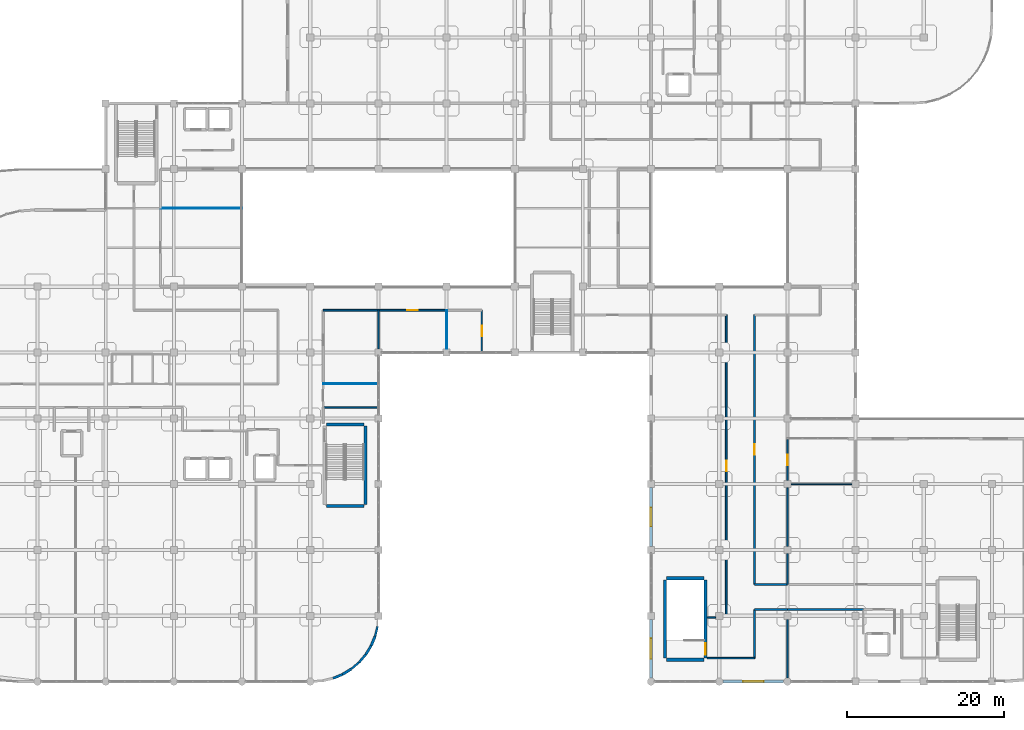
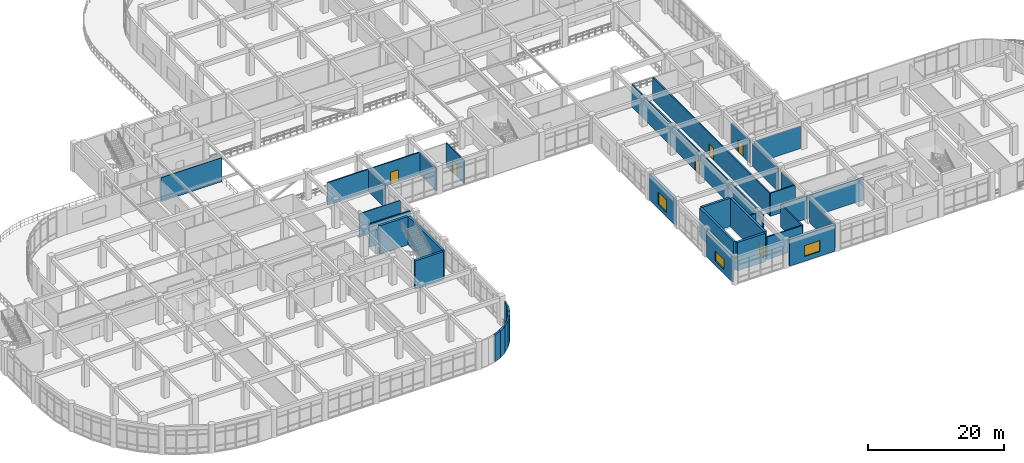
# One storey, part 101 of 120: 38 walls, 6 doors, 3 windows, 9 openings.
"""IFC4 building model written with IfcOpenShell, lengths in metres."""

from ifc_helpers import new_model, si_unit, derived_unit, direction, frame, frame_2d, origin, place, context, subcontext, project, spatial, rectangle, extrude, material, layer, layer_set, type_object, element, fill, save


model = new_model("IFC4")

# Units and contexts
model_context = context("Model", 3, precision=1e-05, world=origin(), true_north=direction((0.0, 1.0)))
body_context = subcontext(model_context, "Body", "Model", "MODEL_VIEW")
ifc_project = project(units=[si_unit("LENGTHUNIT", "METRE"), si_unit("AREAUNIT", "SQUARE_METRE"), si_unit("VOLUMEUNIT", "CUBIC_METRE"), si_unit("PLANEANGLEUNIT", "RADIAN"), si_unit("MASSUNIT", "GRAM", prefix="KILO"), derived_unit("THERMALTRANSMITTANCEUNIT", [(si_unit("MASSUNIT", "GRAM", prefix="KILO"), 1), (si_unit("TIMEUNIT", "SECOND"), -3), (si_unit("THERMODYNAMICTEMPERATUREUNIT", "KELVIN"), -1)])], contexts=[model_context])

# Site, building, storey
site_placement = place(None, origin())
site = spatial("IfcSite", under=ifc_project, at=site_placement, CompositionType="ELEMENT")
building_placement = place(site_placement, origin())
building = spatial("IfcBuilding", under=site, at=building_placement, Name="Qinzheling Arcade Emporium", CompositionType="ELEMENT")
storey_placement = place(building_placement, frame((0.0, 0.0, 11.39990234375)))
storey = spatial("IfcBuildingStorey", under=building, at=storey_placement, Name="L03", CompositionType="ELEMENT", Elevation=11.39990234375)

# Wall
ifc_material_1 = material(Name="Double-stud acoustic gypsum board partition")
ifc_layer_1 = layer(ifc_material_1, 0.215087890625, Name="Double-stud acoustic gypsum board partition")
ifc_layer_set_1 = layer_set([ifc_layer_1], Name="Double-stud acoustic gypsum board partition")
wall_type_1 = type_object("IfcWallType", Name="Acoustic Corridor Partition Wall 215", PredefinedType="PARTITIONING", material=ifc_layer_set_1)
wall_1_placement = place(storey_placement, frame((69.60009765625, 47.39990234375, 0.0), z_axis=(0.0, 0.0, 1.0), x_axis=(-1.0, 0.0, 0.0)))
element("IfcWall", 1, at=wall_1_placement, inside=storey, type_object=wall_type_1, Name="Interior Wall WL-L03-INT-0466", PredefinedType="PARTITIONING", context=body_context, shape_type="SweptSolid", body=[
    extrude(rectangle(XDim=7.050048828125, YDim=0.215087890625, at=frame_2d((3.52490234375, 0.0))), origin(), (0.0, 0.0, 1.0), 4.06005859375),
])

# Wall, opening, door
wall_2_placement = place(storey_placement, frame((78.300048828125, 47.39990234375, 0.0), z_axis=(0.0, 0.0, 1.0), x_axis=(-1.0, 0.0, 0.0)))
wall_2 = element("IfcWall", 2, at=wall_2_placement, inside=storey, type_object=wall_type_1, Name="Interior Wall WL-L03-INT-0488", PredefinedType="PARTITIONING", context=body_context, shape_type="SweptSolid", body=[
    extrude(rectangle(XDim=8.699951171875, YDim=0.215087890625, at=frame_2d((4.35009765625, 0.0))), origin(), (0.0, 0.0, 1.0), 4.06005859375),
])
opening_1_placement = place(wall_2_placement, frame((3.675048828125, 0.0, 0.0)))
opening_1 = element("IfcOpeningElement", 3, at=opening_1_placement, cuts=wall_2, Name="Opening FD05", PredefinedType="OPENING", context=body_context, shape_type="SweptSolid", body=[
    extrude(rectangle(XDim=1.35009765625, YDim=2.199951171875, at=frame_2d((0.675048828125, 1.10009765625))), frame((0.0, 0.11767578125, 0.0), z_axis=(0.0, -1.0, 0.0), x_axis=(1.0, 0.0, 0.0)), (0.0, 0.0, 1.0), 0.235107421875),
])
ifc_material_2 = material(Name="Class B fire-rated stainless-clad door")
door_type_1 = type_object("IfcDoorType", Name="Kitchen Fire-Rated Service Door 1350x2200", OperationType="NOTDEFINED", PredefinedType="DOOR", material=ifc_material_2)
door_1_placement = place(opening_1_placement, origin())
door_1 = element("IfcDoor", 4, at=door_1_placement, inside=storey, type_object=door_type_1, Name="FD05 Interior Door DR-L03-INT-0139", OperationType="SINGLE_SWING_LEFT", OverallHeight=2.199951171875, OverallWidth=1.35009765625, PredefinedType="DOOR", context=body_context, shape_type="SweptSolid", body=[
    extrude(rectangle(XDim=1.35009765625, YDim=2.199951171875, at=frame_2d((0.675048828125, 1.10009765625))), frame((0.0, 0.02490234375, 0.0), z_axis=(0.0, -1.0, 0.0), x_axis=(1.0, 0.0, 0.0)), (0.0, 0.0, 1.0), 0.050048828125),
])
fill(opening_1, door_1)

wall_3_placement = place(storey_placement, frame((82.800048828125, 42.10009765625, 0.0), z_axis=(0.0, 0.0, 1.0), x_axis=(0.0, 1.0, 0.0)))
wall_3 = element("IfcWall", 5, at=wall_3_placement, inside=storey, type_object=wall_type_1, Name="Interior Wall WL-L03-INT-0490", PredefinedType="PARTITIONING", context=body_context, shape_type="SweptSolid", body=[
    extrude(rectangle(XDim=5.2998046875, YDim=0.215087890625, at=frame_2d((2.64990234375, 0.0))), origin(), (0.0, 0.0, 1.0), 4.16015625),
])
opening_2_placement = place(wall_3_placement, frame((1.97509765625, 0.0, 0.0)))
opening_2 = element("IfcOpeningElement", 6, at=opening_2_placement, cuts=wall_3, Name="Opening FD05", PredefinedType="OPENING", context=body_context, shape_type="SweptSolid", body=[
    extrude(rectangle(XDim=1.35009765625, YDim=2.199951171875, at=frame_2d((0.675048828125, 1.10009765625))), frame((0.0, 0.11767578125, 0.0), z_axis=(0.0, -1.0, 0.0), x_axis=(1.0, 0.0, 0.0)), (0.0, 0.0, 1.0), 0.235107421875),
])
door_2_placement = place(opening_2_placement, origin())
door_2 = element("IfcDoor", 7, at=door_2_placement, inside=storey, type_object=door_type_1, Name="FD05 Interior Door DR-L03-INT-0141", OperationType="SINGLE_SWING_LEFT", OverallHeight=2.199951171875, OverallWidth=1.35009765625, PredefinedType="DOOR", context=body_context, shape_type="SweptSolid", body=[
    extrude(rectangle(XDim=1.35009765625, YDim=2.199951171875, at=frame_2d((0.675048828125, 1.10009765625))), frame((0.0, 0.02490234375, 0.0), z_axis=(0.0, -1.0, 0.0), x_axis=(1.0, 0.0, 0.0)), (0.0, 0.0, 1.0), 0.050048828125),
])
fill(opening_2, door_2)

# Wall
wall_4_placement = place(storey_placement, frame((111.550048828125, 8.199951171875, 0.0), z_axis=(0.0, 0.0, 1.0), x_axis=(1.0, 0.0, 0.0)))
element("IfcWall", 8, at=wall_4_placement, inside=storey, type_object=wall_type_1, Name="Interior Wall WL-L03-INT-0502", PredefinedType="PARTITIONING", context=body_context, shape_type="SweptSolid", body=[
    extrude(rectangle(XDim=1.08984375, YDim=0.215087890625, at=frame_2d((0.544921875, 0.0))), origin(), (0.0, 0.0, 1.0), 4.760009765625),
])

# Wall, opening, door
wall_5_placement = place(storey_placement, frame((114.0, 8.199951171875, 0.0), z_axis=(0.0, 0.0, 1.0), x_axis=(0.0, 1.0, 0.0)))
wall_5 = element("IfcWall", 9, at=wall_5_placement, inside=storey, type_object=wall_type_1, Name="Interior Wall WL-L03-INT-0503", PredefinedType="PARTITIONING", context=body_context, shape_type="SweptSolid", body=[
    extrude(rectangle(XDim=38.60009765625, YDim=0.215087890625, at=frame_2d((19.300048828125, 0.0))), origin(), (0.0, 0.0, 1.0), 4.06005859375),
])
opening_3_placement = place(wall_5_placement, frame((18.625, 0.0, 0.0)))
opening_3 = element("IfcOpeningElement", 10, at=opening_3_placement, cuts=wall_5, Name="Opening FD05", PredefinedType="OPENING", context=body_context, shape_type="SweptSolid", body=[
    extrude(rectangle(XDim=1.35009765625, YDim=2.199951171875, at=frame_2d((0.675048828125, 1.10009765625))), frame((0.0, 0.11767578125, 0.0), z_axis=(0.0, -1.0, 0.0), x_axis=(1.0, 0.0, 0.0)), (0.0, 0.0, 1.0), 0.235107421875),
])
door_3_placement = place(opening_3_placement, origin())
door_3 = element("IfcDoor", 11, at=door_3_placement, inside=storey, type_object=door_type_1, Name="FD05 Interior Door DR-L03-INT-0146", OperationType="SINGLE_SWING_RIGHT", OverallHeight=2.199951171875, OverallWidth=1.35009765625, PredefinedType="DOOR", context=body_context, shape_type="SweptSolid", body=[
    extrude(rectangle(XDim=1.35009765625, YDim=2.199951171875, at=frame_2d((0.675048828125, 1.10009765625))), frame((0.0, 0.02490234375, 0.0), z_axis=(0.0, -1.0, 0.0), x_axis=(1.0, 0.0, 0.0)), (0.0, 0.0, 1.0), 0.050048828125),
])
fill(opening_3, door_3)

# Walls
wall_6_placement = place(storey_placement, frame((121.800048828125, 9.199951171875, 0.0), z_axis=(0.0, 0.0, 1.0), x_axis=(-1.0, 0.0, 0.0)))
element("IfcWall", 12, at=wall_6_placement, inside=storey, type_object=wall_type_1, Name="Interior Wall WL-L03-INT-0505", PredefinedType="PARTITIONING", context=body_context, shape_type="SweptSolid", body=[
    extrude(rectangle(XDim=4.199951171875, YDim=0.215087890625, at=frame_2d((2.10009765625, 0.0))), origin(), (0.0, 0.0, 1.0), 4.14501953125),
])
wall_7_placement = place(storey_placement, frame((117.60009765625, 9.199951171875, 0.0), z_axis=(0.0, 0.0, 1.0), x_axis=(0.0, -1.0, 0.0)))
element("IfcWall", 13, at=wall_7_placement, inside=storey, type_object=wall_type_1, Name="Interior Wall WL-L03-INT-0506", PredefinedType="PARTITIONING", context=body_context, shape_type="SweptSolid", body=[
    extrude(rectangle(XDim=6.199951171875, YDim=0.215087890625, at=frame_2d((3.10009765625, 0.0))), origin(), (0.0, 0.0, 1.0), 4.06005859375),
])
wall_8_placement = place(storey_placement, frame((117.60009765625, 3.0, 0.0), z_axis=(0.0, 0.0, 1.0), x_axis=(-1.0, 0.0, 0.0)))
element("IfcWall", 14, at=wall_8_placement, inside=storey, type_object=wall_type_1, Name="Interior Wall WL-L03-INT-0507", PredefinedType="PARTITIONING", context=body_context, shape_type="SweptSolid", body=[
    extrude(rectangle(XDim=6.050048828125, YDim=0.215087890625, at=frame_2d((3.02490234375, 0.0))), origin(), (0.0, 0.0, 1.0), 4.06005859375),
])

# Wall, opening, door
wall_9_placement = place(storey_placement, frame((117.60009765625, 46.800048828125, 0.0), z_axis=(0.0, 0.0, 1.0), x_axis=(0.0, -1.0, 0.0)))
wall_9 = element("IfcWall", 15, at=wall_9_placement, inside=storey, type_object=wall_type_1, Name="Interior Wall WL-L03-INT-0509", PredefinedType="PARTITIONING", context=body_context, shape_type="SweptSolid", body=[
    extrude(rectangle(XDim=34.400146484375, YDim=0.215087890625, at=frame_2d((17.2001953125, 0.0))), origin(), (0.0, 0.0, 1.0), 4.06005859375),
])
opening_4_placement = place(wall_9_placement, frame((16.52490234375, 0.0, 0.0)))
opening_4 = element("IfcOpeningElement", 16, at=opening_4_placement, cuts=wall_9, Name="Opening FD05", PredefinedType="OPENING", context=body_context, shape_type="SweptSolid", body=[
    extrude(rectangle(XDim=1.35009765625, YDim=2.199951171875, at=frame_2d((0.675048828125, 1.10009765625))), frame((0.0, 0.11767578125, 0.0), z_axis=(0.0, -1.0, 0.0), x_axis=(1.0, 0.0, 0.0)), (0.0, 0.0, 1.0), 0.235107421875),
])
door_4_placement = place(opening_4_placement, origin())
door_4 = element("IfcDoor", 17, at=door_4_placement, inside=storey, type_object=door_type_1, Name="FD05 Interior Door DR-L03-INT-0147", OperationType="SINGLE_SWING_LEFT", OverallHeight=2.199951171875, OverallWidth=1.35009765625, PredefinedType="DOOR", context=body_context, shape_type="SweptSolid", body=[
    extrude(rectangle(XDim=1.35009765625, YDim=2.199951171875, at=frame_2d((0.675048828125, 1.10009765625))), frame((0.0, 0.02490234375, 0.0), z_axis=(0.0, -1.0, 0.0), x_axis=(1.0, 0.0, 0.0)), (0.0, 0.0, 1.0), 0.050048828125),
])
fill(opening_4, door_4)

# Walls
wall_10_placement = place(storey_placement, frame((117.60009765625, 12.39990234375, 0.0), z_axis=(0.0, 0.0, 1.0), x_axis=(1.0, 0.0, 0.0)))
element("IfcWall", 18, at=wall_10_placement, inside=storey, type_object=wall_type_1, Name="Interior Wall WL-L03-INT-0510", PredefinedType="PARTITIONING", context=body_context, shape_type="SweptSolid", body=[
    extrude(rectangle(XDim=4.199951171875, YDim=0.215087890625, at=frame_2d((2.10009765625, 0.0))), origin(), (0.0, 0.0, 1.0), 4.14501953125),
])
wall_11_placement = place(storey_placement, frame((131.5, 9.199951171875, 0.0), z_axis=(0.0, 0.0, 1.0), x_axis=(-1.0, 0.0, 0.0)))
element("IfcWall", 19, at=wall_11_placement, inside=storey, type_object=wall_type_1, Name="Interior Wall WL-L03-INT-0517", PredefinedType="PARTITIONING", context=body_context, shape_type="SweptSolid", body=[
    extrude(rectangle(XDim=9.699951171875, YDim=0.215087890625, at=frame_2d((4.85009765625, 0.0))), origin(), (0.0, 0.0, 1.0), 4.045166015625),
])
ifc_material_3 = material(Name="Insulated aluminium-clad spandrel wall", Category="aluminium")
ifc_layer_2 = layer(ifc_material_3, 0.260009765625, Name="Insulated aluminium-clad spandrel wall", Category="aluminium")
ifc_layer_set_2 = layer_set([ifc_layer_2], Name="Insulated aluminium-clad spandrel wall")
wall_type_2 = type_object("IfcWallType", Name="Arcade Clerestory Spandrel Wall 260", PredefinedType="STANDARD", material=ifc_layer_set_2)
for number, where, z_axis, x_axis, name in (
    (20, (69.4970703125, 7.0859375, 0.0), (0.0, 0.0, 1.0), (-0.233681085976, -0.972313298303, 0.0), "Exterior Wall WL-L03-EW-0157"),
    (21, (67.139892578125, 2.4599609375, 0.0), (0.0, 0.0, 1.0), (-0.760640319893, -0.649173554417, 0.0), "Exterior Wall WL-L03-EW-0161"),
):
    element("IfcWall", number, at=place(storey_placement, frame(where, z_axis=z_axis, x_axis=x_axis)), inside=storey, type_object=wall_type_2, Name=name, PredefinedType="STANDARD", context=body_context, shape_type="SweptSolid", body=[
        extrude(rectangle(XDim=1.318603515625, YDim=0.260009765625, at=frame_2d((0.6591796875, 0.0))), origin(), (0.0, 0.0, 1.0), 4.7900390625),
    ])
ifc_material_4 = material(Name="Galvanised stud back-of-house partition")
ifc_layer_3 = layer(ifc_material_4, 0.1201171875, Name="Galvanised stud back-of-house partition")
ifc_layer_set_3 = layer_set([ifc_layer_3], Name="Galvanised stud back-of-house partition")
wall_type_3 = type_object("IfcWallType", Name="Back-of-House Partition Wall 120", PredefinedType="PARTITIONING", material=ifc_layer_set_3)
wall_12_placement = place(storey_placement, frame((69.5, 38.0, 0.0), z_axis=(0.0, 0.0, 1.0), x_axis=(-1.0, 0.0, 0.0)))
element("IfcWall", 22, at=wall_12_placement, inside=storey, type_object=wall_type_3, Name="Interior Wall WL-L03-INT-0547", PredefinedType="PARTITIONING", context=body_context, shape_type="SweptSolid", body=[
    extrude(rectangle(XDim=6.949951171875, YDim=0.1201171875, at=frame_2d((3.47509765625, 0.0))), origin(), (0.0, 0.0, 1.0), 4.16015625),
])
ifc_material_5 = material(Name="Celadon glazed terracotta insulated spandrel", Category="masonry")
ifc_layer_4 = layer(ifc_material_5, 0.340087890625, Name="Celadon glazed terracotta insulated spandrel", Category="masonry")
ifc_layer_set_4 = layer_set([ifc_layer_4], Name="Celadon glazed terracotta insulated spandrel")
wall_type_4 = type_object("IfcWallType", Name="Celadon Spandrel Infill Wall 340", PredefinedType="STANDARD", material=ifc_layer_set_4)
wall_13_placement = place(storey_placement, frame((69.18896484375, 5.803955078125, 0.0), z_axis=(0.0, 0.0, 1.0), x_axis=(-0.382918679061, -0.923782055047, 0.0)))
element("IfcWall", 23, at=wall_13_placement, inside=storey, type_object=wall_type_4, Name="Exterior Wall WL-L03-EW-0158", PredefinedType="STANDARD", context=body_context, shape_type="SweptSolid", body=[
    extrude(rectangle(XDim=1.318603515625, YDim=0.340087890625, at=frame_2d((0.6591796875, 0.0))), origin(), (0.0, 0.0, 1.0), 4.7900390625),
])
wall_14_placement = place(storey_placement, frame((66.136962890625, 1.60400390625, 0.0), z_axis=(0.0, 0.0, 1.0), x_axis=(-0.852713129378, -0.522379477954, 0.0)))
element("IfcWall", 24, at=wall_14_placement, inside=storey, type_object=wall_type_4, Name="Exterior Wall WL-L03-EW-0162", PredefinedType="STANDARD", context=body_context, shape_type="SweptSolid", body=[
    extrude(rectangle(XDim=1.317138671875, YDim=0.340087890625, at=frame_2d((0.65869140625, 0.0))), origin(), (0.0, 0.0, 1.0), 4.7900390625),
])
ifc_material_6 = material(Name="Glazed cream terracotta insulated wall", Category="masonry")
ifc_layer_5 = layer(ifc_material_6, 0.320068359375, Name="Glazed cream terracotta insulated wall", Category="masonry")
ifc_layer_set_5 = layer_set([ifc_layer_5], Name="Glazed cream terracotta insulated wall")
wall_type_5 = type_object("IfcWallType", Name="Chicago Frame Infill Wall 320", PredefinedType="STANDARD", material=ifc_layer_set_5)
wall_15_placement = place(storey_placement, frame((68.68408203125, 4.5859375, 0.0), z_axis=(0.0, 0.0, 1.0), x_axis=(-0.522379477954, -0.852713129378, 0.0)))
element("IfcWall", 25, at=wall_15_placement, inside=storey, type_object=wall_type_5, Name="Exterior Wall WL-L03-EW-0159", PredefinedType="STANDARD", context=body_context, shape_type="SweptSolid", body=[
    extrude(rectangle(XDim=1.317138671875, YDim=0.320068359375, at=frame_2d((0.65869140625, 0.0))), origin(), (0.0, 0.0, 1.0), 4.7900390625),
])
wall_16_placement = place(storey_placement, frame((65.013916015625, 0.916015625, 0.0), z_axis=(0.0, 0.0, 1.0), x_axis=(-0.923716547568, -0.383076676071, 0.0)))
element("IfcWall", 26, at=wall_16_placement, inside=storey, type_object=wall_type_5, Name="Exterior Wall WL-L03-EW-0163", PredefinedType="STANDARD", context=body_context, shape_type="SweptSolid", body=[
    extrude(rectangle(XDim=1.318603515625, YDim=0.320068359375, at=frame_2d((0.6591796875, 0.0))), origin(), (0.0, 0.0, 1.0), 4.7900390625),
])
ifc_material_7 = material(Name="Ceramic-tiled cement-board partition")
ifc_layer_6 = layer(ifc_material_7, 0.18505859375, Name="Ceramic-tiled cement-board partition")
ifc_layer_set_6 = layer_set([ifc_layer_6], Name="Ceramic-tiled cement-board partition")
wall_type_6 = type_object("IfcWallType", Name="Food Hall Kitchen Partition Wall 185", PredefinedType="PARTITIONING", material=ifc_layer_set_6)
wall_17_placement = place(storey_placement, frame((69.60009765625, 47.39990234375, 0.0), z_axis=(0.0, 0.0, 1.0), x_axis=(0.0, -1.0, 0.0)))
element("IfcWall", 27, at=wall_17_placement, inside=storey, type_object=wall_type_6, Name="Interior Wall WL-L03-INT-0546", PredefinedType="PARTITIONING", context=body_context, shape_type="SweptSolid", body=[
    extrude(rectangle(XDim=4.93994140625, YDim=0.18505859375, at=frame_2d((2.469970703125, 0.0))), origin(), (0.0, 0.0, 1.0), 4.06005859375),
])
wall_18_placement = place(storey_placement, frame((121.800048828125, 7.93994140625, 0.0), z_axis=(0.0, 0.0, 1.0), x_axis=(0.0, -1.0, 0.0)))
element("IfcWall", 28, at=wall_18_placement, inside=storey, type_object=wall_type_6, Name="Interior Wall WL-L03-INT-0562", PredefinedType="PARTITIONING", context=body_context, shape_type="SweptSolid", body=[
    extrude(rectangle(XDim=7.454833984375, YDim=0.18505859375, at=frame_2d((3.7275390625, 0.0))), origin(), (0.0, 0.0, 1.0), 4.14501953125),
])

# Wall, opening, door
wall_19_placement = place(storey_placement, frame((121.800048828125, 30.89990234375, 0.0), z_axis=(0.0, 0.0, 1.0), x_axis=(0.0, -1.0, 0.0)))
wall_19 = element("IfcWall", 29, at=wall_19_placement, inside=storey, type_object=wall_type_6, Name="Interior Wall WL-L03-INT-0563", PredefinedType="PARTITIONING", context=body_context, shape_type="SweptSolid", body=[
    extrude(rectangle(XDim=5.239990234375, YDim=0.18505859375, at=frame_2d((2.6201171875, 0.0))), origin(), (0.0, 0.0, 1.0), 4.06005859375),
])
opening_5_placement = place(wall_19_placement, frame((1.945068359375, 0.0, 0.0)))
opening_5 = element("IfcOpeningElement", 30, at=opening_5_placement, cuts=wall_19, Name="Opening FD05", PredefinedType="OPENING", context=body_context, shape_type="SweptSolid", body=[
    extrude(rectangle(XDim=1.35009765625, YDim=2.199951171875, at=frame_2d((0.675048828125, 1.10009765625))), frame((0.0, 0.1025390625, 0.0), z_axis=(0.0, -1.0, 0.0), x_axis=(1.0, 0.0, 0.0)), (0.0, 0.0, 1.0), 0.205078125),
])
door_5_placement = place(opening_5_placement, origin())
door_5 = element("IfcDoor", 31, at=door_5_placement, inside=storey, type_object=door_type_1, Name="FD05 Interior Door DR-L03-INT-0148", OperationType="SINGLE_SWING_RIGHT", OverallHeight=2.199951171875, OverallWidth=1.35009765625, PredefinedType="DOOR", context=body_context, shape_type="SweptSolid", body=[
    extrude(rectangle(XDim=1.35009765625, YDim=2.199951171875, at=frame_2d((0.675048828125, 1.10009765625))), frame((0.0, 0.02490234375, 0.0), z_axis=(0.0, -1.0, 0.0), x_axis=(1.0, 0.0, 0.0)), (0.0, 0.0, 1.0), 0.050048828125),
])
fill(opening_5, door_5)

# Walls
ifc_material_8 = material(Name="Acoustic gypsum gallery partition")
ifc_layer_7 = layer(ifc_material_8, 0.205078125, Name="Acoustic gypsum gallery partition")
ifc_layer_set_7 = layer_set([ifc_layer_7], Name="Acoustic gypsum gallery partition")
wall_type_7 = type_object("IfcWallType", Name="Gallery Display Partition Wall 205", PredefinedType="PARTITIONING", material=ifc_layer_set_7)
wall_20_placement = place(storey_placement, frame((121.800048828125, 24.739990234375, 0.0), z_axis=(0.0, 0.0, 1.0), x_axis=(0.0, -1.0, 0.0)))
element("IfcWall", 32, at=wall_20_placement, inside=storey, type_object=wall_type_7, Name="Interior Wall WL-L03-INT-0566", PredefinedType="PARTITIONING", context=body_context, shape_type="SweptSolid", body=[
    extrude(rectangle(XDim=7.47998046875, YDim=0.205078125, at=frame_2d((3.739990234375, 0.0))), origin(), (0.0, 0.0, 1.0), 4.14501953125),
])
wall_21_placement = place(storey_placement, frame((121.800048828125, 16.340087890625, 0.0), z_axis=(0.0, 0.0, 1.0), x_axis=(0.0, -1.0, 0.0)))
element("IfcWall", 33, at=wall_21_placement, inside=storey, type_object=wall_type_7, Name="Interior Wall WL-L03-INT-0567", PredefinedType="PARTITIONING", context=body_context, shape_type="SweptSolid", body=[
    extrude(rectangle(XDim=3.940185546875, YDim=0.205078125, at=frame_2d((1.97021484375, 0.0))), origin(), (0.0, 0.0, 1.0), 4.14501953125),
])

# Wall, opening, window
ifc_material_9 = material(Name="Glazed cream terracotta on Concrete C40", Category="masonry")
ifc_layer_8 = layer(ifc_material_9, 0.3798828125, Name="Glazed cream terracotta on Concrete C40", Category="masonry")
ifc_layer_set_8 = layer_set([ifc_layer_8], Name="Glazed cream terracotta on Concrete C40")
wall_type_8 = type_object("IfcWallType", Name="Glazed Cream Terracotta Structural Wall 380", PredefinedType="STANDARD", material=ifc_layer_set_8)
wall_22_placement = place(storey_placement, frame((121.322998046875, 0.0, 0.0), z_axis=(0.0, 0.0, 1.0), x_axis=(-1.0, 0.0, 0.0)))
wall_22 = element("IfcWall", 34, at=wall_22_placement, inside=storey, type_object=wall_type_8, Name="Exterior Wall WL-L03-EW-0152", PredefinedType="STANDARD", context=body_context, shape_type="SweptSolid", body=[
    extrude(rectangle(XDim=7.74609375, YDim=0.3798828125, at=frame_2d((3.873046875, 0.0))), origin(), (0.0, 0.0, 1.0), 4.7900390625),
])
opening_6_placement = place(wall_22_placement, frame((2.572998046875, 0.0, 0.85009765625)))
opening_6 = element("IfcOpeningElement", 35, at=opening_6_placement, cuts=wall_22, Name="Opening WN51", PredefinedType="OPENING", context=body_context, shape_type="SweptSolid", body=[
    extrude(rectangle(XDim=2.60009765625, YDim=1.949951171875, at=frame_2d((1.300048828125, 0.97509765625))), frame((0.0, 0.199951171875, 0.0), z_axis=(0.0, -1.0, 0.0), x_axis=(1.0, 0.0, 0.0)), (0.0, 0.0, 1.0), 0.39990234375),
])
ifc_material_10 = material(Name="Thermally broken aluminium frame with solar-control double glazing", Category="aluminium")
window_type_1 = type_object("IfcWindowType", Name="Chicago Tripartite Window 2600x1950", PartitioningType="TRIPLE_PANEL_VERTICAL", PredefinedType="WINDOW", material=ifc_material_10)
window_1_placement = place(opening_6_placement, origin())
window_1 = element("IfcWindow", 36, at=window_1_placement, inside=storey, type_object=window_type_1, Name="WN51 Window WN-L03-0038", OverallHeight=1.949951171875, OverallWidth=2.60009765625, PartitioningType="TRIPLE_PANEL_VERTICAL", PredefinedType="WINDOW", context=body_context, shape_type="SweptSolid", body=[
    extrude(rectangle(XDim=2.60009765625, YDim=1.949951171875, at=frame_2d((1.300048828125, 0.97509765625))), frame((0.0, 0.030029296875, 0.0), z_axis=(0.0, -1.0, 0.0), x_axis=(1.0, 0.0, 0.0)), (0.0, 0.0, 1.0), 0.06005859375),
])
fill(opening_6, window_1)

wall_23_placement = place(storey_placement, frame((104.39990234375, 17.251953125, 0.0), z_axis=(0.0, 0.0, 1.0), x_axis=(0.0, 1.0, 0.0)))
wall_23 = element("IfcWall", 37, at=wall_23_placement, inside=storey, type_object=wall_type_8, Name="Exterior Wall WL-L03-EW-0154", PredefinedType="STANDARD", context=body_context, shape_type="SweptSolid", body=[
    extrude(rectangle(XDim=7.49609375, YDim=0.3798828125, at=frame_2d((3.748046875, 0.0))), origin(), (0.0, 0.0, 1.0), 4.7900390625),
])
opening_7_placement = place(wall_23_placement, frame((2.548095703125, 0.0, 0.85009765625)))
opening_7 = element("IfcOpeningElement", 38, at=opening_7_placement, cuts=wall_23, Name="Opening WN53", PredefinedType="OPENING", context=body_context, shape_type="SweptSolid", body=[
    extrude(rectangle(XDim=2.39990234375, YDim=2.25, at=frame_2d((1.199951171875, 1.125))), frame((0.0, 0.199951171875, 0.0), z_axis=(0.0, -1.0, 0.0), x_axis=(1.0, 0.0, 0.0)), (0.0, 0.0, 1.0), 0.39990234375),
])
window_type_2 = type_object("IfcWindowType", Name="Chicago Tripartite Window 2400x2250", PartitioningType="TRIPLE_PANEL_VERTICAL", PredefinedType="WINDOW", material=ifc_material_10)
window_2_placement = place(opening_7_placement, origin())
window_2 = element("IfcWindow", 39, at=window_2_placement, inside=storey, type_object=window_type_2, Name="WN53 Window WN-L03-0040", OverallHeight=2.25, OverallWidth=2.39990234375, PartitioningType="TRIPLE_PANEL_VERTICAL", PredefinedType="WINDOW", context=body_context, shape_type="SweptSolid", body=[
    extrude(rectangle(XDim=2.39990234375, YDim=2.25, at=frame_2d((1.199951171875, 1.125))), frame((0.0, 0.030029296875, 0.0), z_axis=(0.0, -1.0, 0.0), x_axis=(1.0, 0.0, 0.0)), (0.0, 0.0, 1.0), 0.06005859375),
])
fill(opening_7, window_2)

ifc_layer_9 = layer(ifc_material_9, 0.360107421875, Name="Glazed cream terracotta on Concrete C40", Category="masonry")
ifc_layer_set_9 = layer_set([ifc_layer_9], Name="Glazed cream terracotta on Concrete C40")
wall_type_9 = type_object("IfcWallType", Name="Glazed Terracotta Pier Wall 360", PredefinedType="STANDARD", material=ifc_layer_set_9)
wall_24_placement = place(storey_placement, frame((104.39990234375, 0.47705078125, 0.0), z_axis=(0.0, 0.0, 1.0), x_axis=(0.0, 1.0, 0.0)))
wall_24 = element("IfcWall", 40, at=wall_24_placement, inside=storey, type_object=wall_type_9, Name="Exterior Wall WL-L03-EW-0153", PredefinedType="STANDARD", context=body_context, shape_type="SweptSolid", body=[
    extrude(rectangle(XDim=7.470947265625, YDim=0.360107421875, at=frame_2d((3.7353515625, 0.0))), origin(), (0.0, 0.0, 1.0), 4.7900390625),
])
opening_8_placement = place(wall_24_placement, frame((2.43603515625, 0.0, 0.85009765625)))
opening_8 = element("IfcOpeningElement", 41, at=opening_8_placement, cuts=wall_24, Name="Opening WN52", PredefinedType="OPENING", context=body_context, shape_type="SweptSolid", body=[
    extrude(rectangle(XDim=2.60009765625, YDim=1.75, at=frame_2d((1.300048828125, 0.875))), frame((0.0, 0.18994140625, 0.0), z_axis=(0.0, -1.0, 0.0), x_axis=(1.0, 0.0, 0.0)), (0.0, 0.0, 1.0), 0.380126953125),
])
window_type_3 = type_object("IfcWindowType", Name="Chicago Tripartite Window 2600x1750", PartitioningType="TRIPLE_PANEL_VERTICAL", PredefinedType="WINDOW", material=ifc_material_10)
window_3_placement = place(opening_8_placement, origin())
window_3 = element("IfcWindow", 42, at=window_3_placement, inside=storey, type_object=window_type_3, Name="WN52 Window WN-L03-0039", OverallHeight=1.75, OverallWidth=2.60009765625, PartitioningType="TRIPLE_PANEL_VERTICAL", PredefinedType="WINDOW", context=body_context, shape_type="SweptSolid", body=[
    extrude(rectangle(XDim=2.60009765625, YDim=1.75, at=frame_2d((1.300048828125, 0.875))), frame((0.0, 0.030029296875, 0.0), z_axis=(0.0, -1.0, 0.0), x_axis=(1.0, 0.0, 0.0)), (0.0, 0.0, 1.0), 0.06005859375),
])
fill(opening_8, window_3)

# Walls
ifc_material_11 = material(Name="Lightweight gypsum studio partition")
ifc_layer_10 = layer(ifc_material_11, 0.125, Name="Lightweight gypsum studio partition")
ifc_layer_set_10 = layer_set([ifc_layer_10], Name="Lightweight gypsum studio partition")
wall_type_10 = type_object("IfcWallType", Name="Merchandising Studio Partition Wall 125", PredefinedType="PARTITIONING", material=ifc_layer_set_10)
wall_25_placement = place(storey_placement, frame((41.800048828125, 60.39990234375, 0.0), z_axis=(0.0, 0.0, 1.0), x_axis=(1.0, 0.0, 0.0)))
element("IfcWall", 43, at=wall_25_placement, inside=storey, type_object=wall_type_10, Name="Interior Wall WL-L03-INT-0549", PredefinedType="PARTITIONING", context=body_context, shape_type="SweptSolid", body=[
    extrude(rectangle(XDim=10.39990234375, YDim=0.125, at=frame_2d((5.199951171875, 0.0))), origin(), (0.0, 0.0, 1.0), 4.322021484375),
])
wall_26_placement = place(storey_placement, frame((78.300048828125, 47.39990234375, 0.0), z_axis=(0.0, 0.0, 1.0), x_axis=(0.0, -1.0, 0.0)))
element("IfcWall", 44, at=wall_26_placement, inside=storey, type_object=wall_type_10, Name="Interior Wall WL-L03-INT-0553", PredefinedType="PARTITIONING", context=body_context, shape_type="SweptSolid", body=[
    extrude(rectangle(XDim=4.93994140625, YDim=0.125, at=frame_2d((2.469970703125, 0.0))), origin(), (0.0, 0.0, 1.0), 4.06005859375),
])
ifc_material_12 = material(Name="Concrete C50", Category="concrete")
ifc_layer_11 = layer(ifc_material_12, 0.39990234375, Name="Concrete C50", Category="concrete")
ifc_layer_set_11 = layer_set([ifc_layer_11], Name="Concrete C50")
wall_type_11 = type_object("IfcWallType", Name="RC Stair Core Shear Wall 400 C50", PredefinedType="SHEAR", material=ifc_layer_set_11)
wall_27_placement = place(storey_placement, frame((67.93994140625, 32.60009765625, 0.0), z_axis=(0.0, 0.0, 1.0), x_axis=(0.0, -1.0, 0.0)))
element("IfcWall", 45, at=wall_27_placement, inside=storey, type_object=wall_type_11, Name="Stair Core Wall WL-L03-ST01-EAST", PredefinedType="SHEAR", context=body_context, shape_type="SweptSolid", body=[
    extrude(rectangle(XDim=10.0, YDim=0.39990234375, at=frame_2d((5.0, 0.0))), origin(), (0.0, 0.0, 1.0), 5.10009765625),
])
for number, where, z_axis, x_axis, name in (
    (46, (67.739990234375, 22.39990234375, 0.0), (0.0, 0.0, 1.0), (-1.0, 0.0, 0.0), "Stair Core Wall WL-L03-ST01-SOUTH"),
    (47, (62.949951171875, 32.800048828125, 0.0), (0.0, 0.0, 1.0), (1.0, 0.0, 0.0), "Stair Core Wall WL-L03-ST01-NORTH"),
):
    element("IfcWall", number, at=place(storey_placement, frame(where, z_axis=z_axis, x_axis=x_axis)), inside=storey, type_object=wall_type_11, Name=name, PredefinedType="SHEAR", context=body_context, shape_type="SweptSolid", body=[
        extrude(rectangle(XDim=4.7900390625, YDim=0.39990234375, at=frame_2d((2.39501953125, 0.0))), origin(), (0.0, 0.0, 1.0), 5.10009765625),
    ])
wall_28_placement = place(storey_placement, frame((106.155029296875, 3.0, 0.0), z_axis=(0.0, 0.0, 1.0), x_axis=(0.0, 1.0, 0.0)))
element("IfcWall", 48, at=wall_28_placement, inside=storey, type_object=wall_type_11, Name="Stair Core Wall WL-L03-ST05-WEST", PredefinedType="SHEAR", context=body_context, shape_type="SweptSolid", body=[
    extrude(rectangle(XDim=10.0, YDim=0.39990234375, at=frame_2d((5.0, 0.0))), origin(), (0.0, 0.0, 1.0), 5.10009765625),
])

# Wall, opening, door
wall_29_placement = place(storey_placement, frame((111.344970703125, 13.0, 0.0), z_axis=(0.0, 0.0, 1.0), x_axis=(0.0, -1.0, 0.0)))
wall_29 = element("IfcWall", 49, at=wall_29_placement, inside=storey, type_object=wall_type_11, Name="Stair Core Wall WL-L03-ST05-EAST", PredefinedType="SHEAR", context=body_context, shape_type="SweptSolid", body=[
    extrude(rectangle(XDim=10.0, YDim=0.39990234375, at=frame_2d((5.0, 0.0))), origin(), (0.0, 0.0, 1.0), 5.10009765625),
])
opening_9_placement = place(wall_29_placement, frame((8.090087890625, 0.0, 0.0)))
opening_9 = element("IfcOpeningElement", 50, at=opening_9_placement, cuts=wall_29, Name="Opening FD01", PredefinedType="OPENING", context=body_context, shape_type="SweptSolid", body=[
    extrude(rectangle(XDim=1.5, YDim=2.199951171875, at=frame_2d((0.75, 1.10009765625))), frame((0.0, 0.2099609375, 0.0), z_axis=(0.0, -1.0, 0.0), x_axis=(1.0, 0.0, 0.0)), (0.0, 0.0, 1.0), 0.419921875),
])
ifc_material_13 = material(Name="Class A fire-rated steel double door", Category="steel")
door_type_2 = type_object("IfcDoorType", Name="Stairwell Smoke-Proof Fire Door 1500x2200", OperationType="DOUBLE_DOOR_SINGLE_SWING", PredefinedType="DOOR", material=ifc_material_13)
door_6_placement = place(opening_9_placement, origin())
door_6 = element("IfcDoor", 51, at=door_6_placement, inside=storey, type_object=door_type_2, Name="FD01 Stairwell Fire Door DR-L03-ST05-FD", OperationType="DOUBLE_DOOR_SINGLE_SWING", OverallHeight=2.199951171875, OverallWidth=1.5, PredefinedType="DOOR", context=body_context, shape_type="SweptSolid", body=[
    extrude(rectangle(XDim=1.5, YDim=2.199951171875, at=frame_2d((0.75, 1.10009765625))), frame((0.0, 0.02490234375, 0.0), z_axis=(0.0, -1.0, 0.0), x_axis=(1.0, 0.0, 0.0)), (0.0, 0.0, 1.0), 0.050048828125),
])
fill(opening_9, door_6)

# Walls
for number, where, z_axis, x_axis, name in (
    (52, (111.14501953125, 2.800048828125, 0.0), (0.0, 0.0, 1.0), (-1.0, 0.0, 0.0), "Stair Core Wall WL-L03-ST05-SOUTH"),
    (53, (106.35498046875, 13.199951171875, 0.0), (0.0, 0.0, 1.0), (1.0, 0.0, 0.0), "Stair Core Wall WL-L03-ST05-NORTH"),
):
    element("IfcWall", number, at=place(storey_placement, frame(where, z_axis=z_axis, x_axis=x_axis)), inside=storey, type_object=wall_type_11, Name=name, PredefinedType="SHEAR", context=body_context, shape_type="SweptSolid", body=[
        extrude(rectangle(XDim=4.7900390625, YDim=0.39990234375, at=frame_2d((2.39501953125, 0.0))), origin(), (0.0, 0.0, 1.0), 5.10009765625),
    ])
ifc_material_14 = material(Name="Double-board salon partition")
ifc_layer_12 = layer(ifc_material_14, 0.175048828125, Name="Double-board salon partition")
ifc_layer_set_12 = layer_set([ifc_layer_12], Name="Double-board salon partition")
wall_type_12 = type_object("IfcWallType", Name="Salon Acoustic Partition Wall 175", PredefinedType="PARTITIONING", material=ifc_layer_set_12)
wall_30_placement = place(storey_placement, frame((62.550048828125, 35.0, 0.0), z_axis=(0.0, 0.0, 1.0), x_axis=(1.0, 0.0, 0.0)))
element("IfcWall", 54, at=wall_30_placement, inside=storey, type_object=wall_type_12, Name="Interior Wall WL-L03-INT-0552", PredefinedType="PARTITIONING", context=body_context, shape_type="SweptSolid", body=[
    extrude(rectangle(XDim=6.949951171875, YDim=0.175048828125, at=frame_2d((3.47509765625, 0.0))), origin(), (0.0, 0.0, 1.0), 4.16015625),
])
ifc_material_15 = material(Name="Moisture-resistant tea room partition")
ifc_layer_13 = layer(ifc_material_15, 0.1298828125, Name="Moisture-resistant tea room partition")
ifc_layer_set_13 = layer_set([ifc_layer_13], Name="Moisture-resistant tea room partition")
wall_type_13 = type_object("IfcWallType", Name="Tea Room Partition Wall 130", PredefinedType="PARTITIONING", material=ifc_layer_set_13)
wall_31_placement = place(storey_placement, frame((130.0400390625, 25.199951171875, 0.0), z_axis=(0.0, 0.0, 1.0), x_axis=(-1.0, 0.0, 0.0)))
element("IfcWall", 55, at=wall_31_placement, inside=storey, type_object=wall_type_13, Name="Interior Wall WL-L03-INT-0569", PredefinedType="PARTITIONING", context=body_context, shape_type="SweptSolid", body=[
    extrude(rectangle(XDim=7.780029296875, YDim=0.1298828125, at=frame_2d((3.89013671875, 0.0))), origin(), (0.0, 0.0, 1.0), 4.045166015625),
])
ifc_layer_14 = layer(ifc_material_6, 0.300048828125, Name="Glazed cream terracotta insulated wall", Category="masonry")
ifc_layer_set_14 = layer_set([ifc_layer_14], Name="Glazed cream terracotta insulated wall")
wall_type_14 = type_object("IfcWallType", Name="Terrace Facade Infill Wall 300", PredefinedType="STANDARD", material=ifc_layer_set_14)
wall_32_placement = place(storey_placement, frame((67.99609375, 3.462890625, 0.0), z_axis=(0.0, 0.0, 1.0), x_axis=(-0.649280664237, -0.760548893266, 0.0)))
element("IfcWall", 56, at=wall_32_placement, inside=storey, type_object=wall_type_14, Name="Exterior Wall WL-L03-EW-0160", PredefinedType="STANDARD", context=body_context, shape_type="SweptSolid", body=[
    extrude(rectangle(XDim=1.318603515625, YDim=0.300048828125, at=frame_2d((0.6591796875, 0.0))), origin(), (0.0, 0.0, 1.0), 4.7900390625),
])

save(model, "model.ifc")
